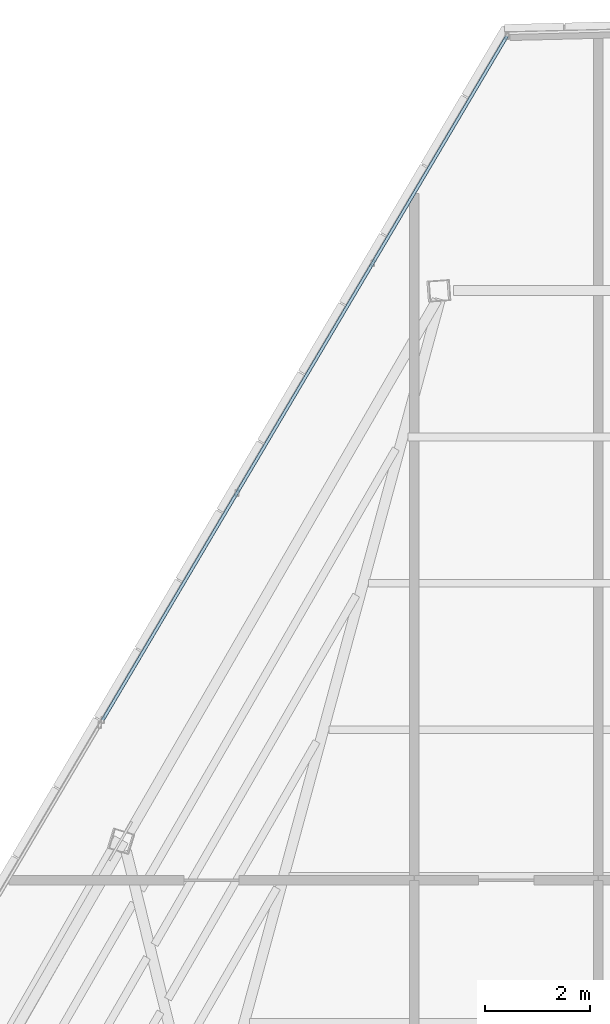
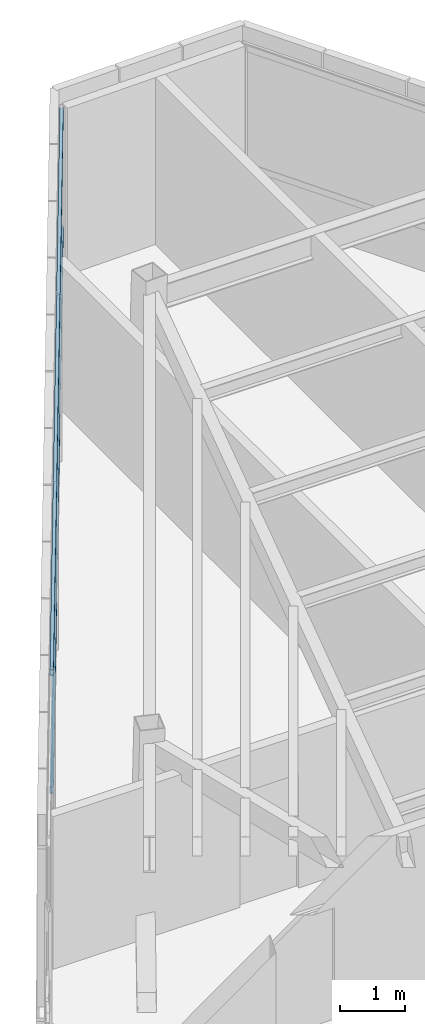
# One storey, part 33 of 44: 2 members, 1 element without a shape of its own.
"""IFC4 building model written with IfcOpenShell, lengths in metres."""

from ifc_helpers import new_model, si_unit, direction, frame, origin, origin_2d, place, context, subcontext, project, spatial, hollow_rectangle, extrude, source, transform, mapped, material, material_profile, profile_set, type_object, type_shapes, element, aggregate, save


model = new_model("IFC4")

# Units and contexts
model_context = context("Model", 3, precision=1e-05, world=origin(), true_north=direction((0.0, 1.0)))
body_context = subcontext(model_context, "Body", "Model", "MODEL_VIEW")
ifc_project = project(units=[si_unit("LENGTHUNIT", "METRE"), si_unit("AREAUNIT", "SQUARE_METRE"), si_unit("VOLUMEUNIT", "CUBIC_METRE"), si_unit("PLANEANGLEUNIT", "RADIAN"), si_unit("MASSUNIT", "GRAM", prefix="KILO")], contexts=[model_context])

# Site, building, storey
site_placement = place(None, origin())
site = spatial("IfcSite", under=ifc_project, at=site_placement, CompositionType="ELEMENT")
building_placement = place(site_placement, origin())
building = spatial("IfcBuilding", under=site, at=building_placement, Name="Caelisora Broadcast Tower", CompositionType="ELEMENT")
storey_placement = place(building_placement, frame((0.0, 0.0, 289.800048828125)))
storey = spatial("IfcBuildingStorey", under=building, at=storey_placement, Name="L76", CompositionType="ELEMENT", Elevation=289.800048828125)

# Curtain wall, members
ifc_material_1 = material(Name="Unitised Aluminium Insulated Shadow-Box Spandrel Curtain Wall", Category="aluminium")
curtain_wall_type = type_object("IfcCurtainWallType", Name="CW-SP3", PredefinedType="NOTDEFINED", material=ifc_material_1)
curtain_wall_placement = place(storey_placement, origin())
curtain_wall = element("IfcCurtainWall", 1, at=curtain_wall_placement, inside=storey, type_object=curtain_wall_type, Name="L76 curtain wall CW-SP3", PredefinedType="NOTDEFINED")
ifc_material_2 = material(Name="Aluminium 6063-T6 Anodised Terracotta Bronze", Category="aluminium")
ifc_material_profile = material_profile(ifc_material_2, hollow_rectangle(XDim=0.06005859375, YDim=0.1201171875, WallThickness=0.0029296875, at=origin_2d()), Name="Aluminium 6063-T6 Anodised Terracotta Bronze")
ifc_profile_set = profile_set([ifc_material_profile], Name="Aluminium 6063-T6 Anodised Terracotta Bronze")
member_type = type_object("IfcMemberType", Name="CWT-03", PredefinedType="USERDEFINED", material=ifc_profile_set)
shared_shape = source(origin(), body_context, "Body", "SweptSolid", [
    extrude(hollow_rectangle(XDim=0.06005859375, YDim=0.1201171875, WallThickness=0.0029296875, at=origin_2d()), origin(), (0.0, 0.0, 1.0), 15.14501953125),
])
type_shapes(member_type, [shared_shape])
member_1_placement = place(storey_placement, frame((28.5595703125, 38.552490234375, 0.849853515625), z_axis=(0.508752122092, 0.860913049191, 0.0), x_axis=(-0.860913049191, 0.508752122092, 0.0)))
member_1 = element("IfcMember", 2, at=member_1_placement, type_object=member_type, Name="L76-CW-B11 transom #1", ObjectType="TRANSOM", PredefinedType="USERDEFINED", context=body_context, shape_type="MappedRepresentation", body=[
    mapped(shared_shape, transform((0.0, 0.0, 0.0), scale=1.0)),
])
member_2_placement = place(storey_placement, frame((28.5595703125, 38.552490234375, 3.070068359375), z_axis=(0.508752122092, 0.860913049191, 0.0), x_axis=(-0.860913049191, 0.508752122092, 0.0)))
member_2 = element("IfcMember", 3, at=member_2_placement, type_object=member_type, Name="L76-CW-B11 transom #2", ObjectType="TRANSOM", PredefinedType="USERDEFINED", context=body_context, shape_type="MappedRepresentation", body=[
    mapped(shared_shape, transform((0.0, 0.0, 0.0), scale=1.0)),
])
aggregate(curtain_wall, [member_1, member_2])

save(model, "model.ifc")
